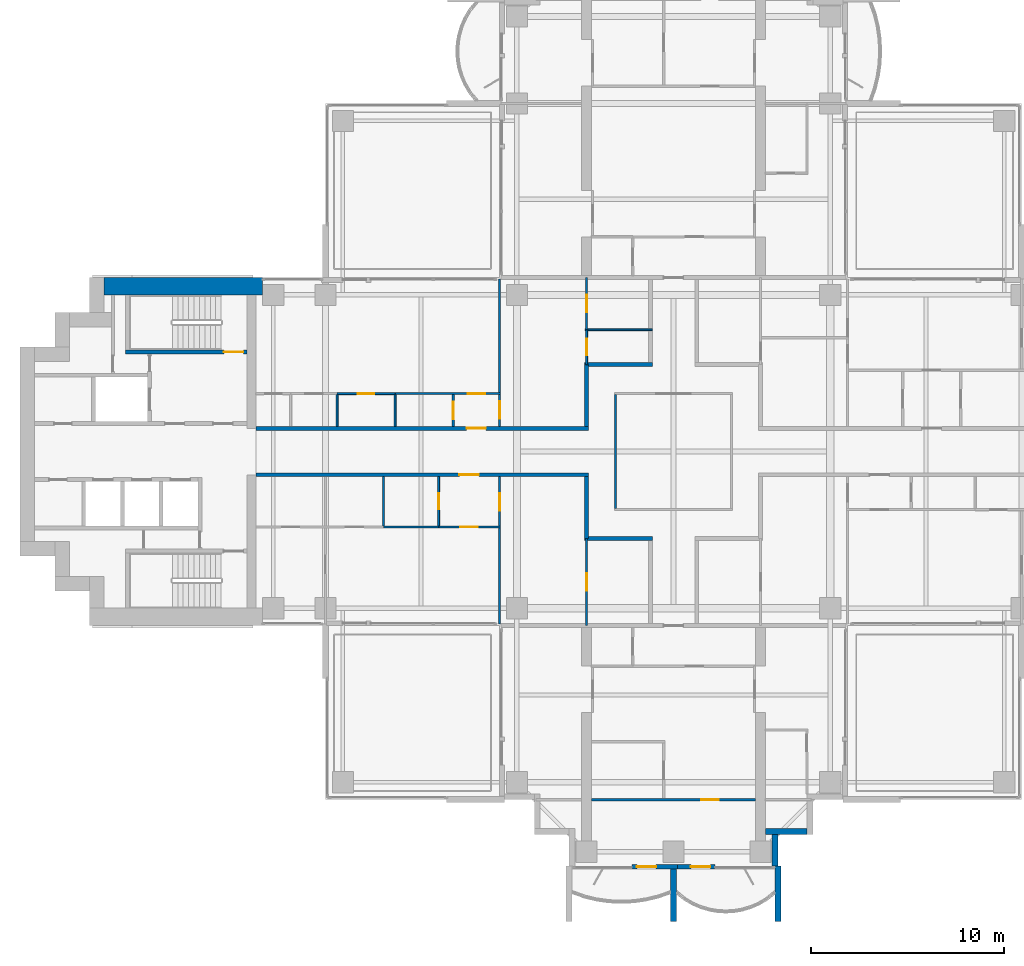
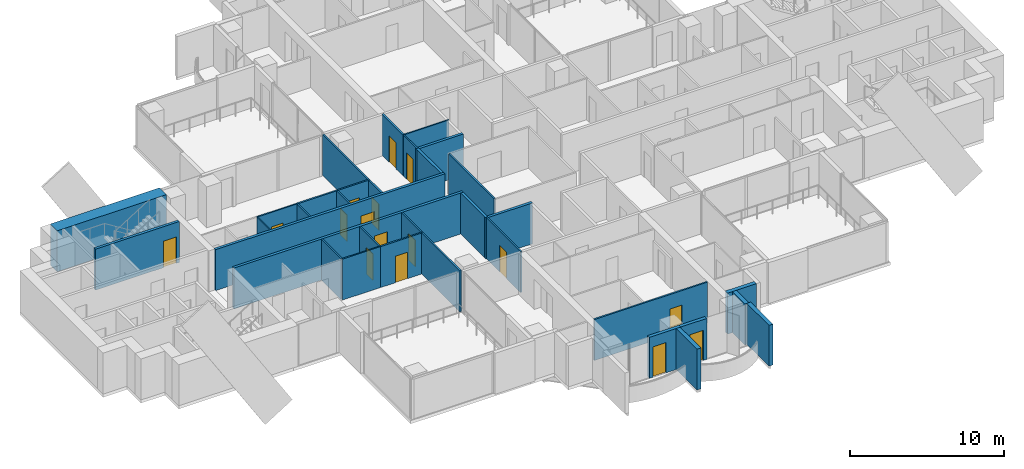
# One storey, part 10 of 19: 31 walls, 16 doors, 16 openings.
"""IFC4 building model written with IfcOpenShell, lengths in metres."""

from ifc_helpers import new_model, si_unit, direction, frame, frame_2d, origin, place, context, subcontext, project, spatial, rectangle, extrude, material, layer, layer_set, type_object, element, fill, save


model = new_model("IFC4")

# Units and contexts
model_context = context("Model", 3, precision=1e-05, world=origin(), true_north=direction((0.0, 1.0)))
body_context = subcontext(model_context, "Body", "Model", "MODEL_VIEW")
ifc_project = project(units=[si_unit("LENGTHUNIT", "METRE"), si_unit("AREAUNIT", "SQUARE_METRE"), si_unit("VOLUMEUNIT", "CUBIC_METRE"), si_unit("PLANEANGLEUNIT", "RADIAN"), si_unit("MASSUNIT", "GRAM", prefix="KILO")], contexts=[model_context])

# Site, building, storey
site_placement = place(None, origin())
site = spatial("IfcSite", under=ifc_project, at=site_placement, CompositionType="ELEMENT")
building_placement = place(site_placement, origin())
building = spatial("IfcBuilding", under=site, at=building_placement, Name="Perihelion Cross Residences", CompositionType="ELEMENT")
storey_placement = place(building_placement, frame((0.0, 0.0, 126.89990234375)))
storey = spatial("IfcBuildingStorey", under=building, at=storey_placement, Name="L30", CompositionType="ELEMENT", Elevation=126.89990234375)

# Wall, opening, door
ifc_material_1 = material(Name="Plasterboard partition")
ifc_layer_1 = layer(ifc_material_1, 0.199951171875)
ifc_layer_set_1 = layer_set([ifc_layer_1], Name="Apartment separation wall 200")
wall_type_1 = type_object("IfcWallType", Name="Apartment separation wall 200", PredefinedType="PARTITIONING", material=ifc_layer_set_1)
wall_1_placement = place(storey_placement, frame((-21.60009765625, 1.199951171875, 0.0), z_axis=(0.0, 0.0, 1.0), x_axis=(1.0, 0.0, 0.0)))
wall_1 = element("IfcWall", 1, at=wall_1_placement, inside=storey, type_object=wall_type_1, Name="Partition L30 W013", PredefinedType="PARTITIONING", context=body_context, shape_type="SweptSolid", body=[
    extrude(rectangle(XDim=17.2001953125, YDim=0.199951171875, at=frame_2d((8.60009765625, 0.0))), origin(), (0.0, 0.0, 1.0), 3.25),
])
opening_1_placement = place(wall_1_placement, frame((10.89990234375, 0.0, 0.0)))
opening_1 = element("IfcOpeningElement", 2, at=opening_1_placement, cuts=wall_1, Name="Opening L30.A47", PredefinedType="OPENING", context=body_context, shape_type="SweptSolid", body=[
    extrude(rectangle(XDim=1.0, YDim=2.10009765625, at=frame_2d((0.5, 1.050048828125))), frame((0.0, 0.10986328125, 0.0), z_axis=(0.0, -1.0, 0.0), x_axis=(1.0, 0.0, 0.0)), (0.0, 0.0, 1.0), 0.219970703125),
])
ifc_material_2 = material(Name="Timber door leaf", Category="wood")
door_type_1 = type_object("IfcDoorType", Name="Flat entrance door 1000 x 2100", OperationType="SINGLE_SWING_LEFT", PredefinedType="DOOR", material=ifc_material_2)
door_1_placement = place(opening_1_placement, origin())
door_1 = element("IfcDoor", 3, at=door_1_placement, inside=storey, type_object=door_type_1, Name="Door L30.A47", OperationType="SINGLE_SWING_LEFT", OverallHeight=2.10009765625, OverallWidth=1.0, PredefinedType="DOOR", context=body_context, shape_type="SweptSolid", body=[
    extrude(rectangle(XDim=1.0, YDim=2.10009765625, at=frame_2d((0.5, 1.050048828125))), frame((0.0, 0.02490234375, 0.0), z_axis=(0.0, -1.0, 0.0), x_axis=(1.0, 0.0, 0.0)), (0.0, 0.0, 1.0), 0.050048828125),
])
fill(opening_1, door_1)

# Walls
wall_2_placement = place(storey_placement, frame((-4.5, 1.300048828125, 0.0), z_axis=(0.0, 0.0, 1.0), x_axis=(0.0, 1.0, 0.0)))
element("IfcWall", 4, at=wall_2_placement, inside=storey, type_object=wall_type_1, Name="Partition L30 W014", PredefinedType="PARTITIONING", context=body_context, shape_type="SweptSolid", body=[
    extrude(rectangle(XDim=3.199951171875, YDim=0.199951171875, at=frame_2d((1.60009765625, 0.0))), origin(), (0.0, 0.0, 1.0), 3.25),
])
wall_3_placement = place(storey_placement, frame((-4.60009765625, 4.5, 0.0), z_axis=(0.0, 0.0, 1.0), x_axis=(1.0, 0.0, 0.0)))
element("IfcWall", 5, at=wall_3_placement, inside=storey, type_object=wall_type_1, Name="Partition L30 W015", PredefinedType="PARTITIONING", context=body_context, shape_type="SweptSolid", body=[
    extrude(rectangle(XDim=3.5, YDim=0.199951171875, at=frame_2d((1.75, 0.0))), origin(), (0.0, 0.0, 1.0), 3.25),
])

# Wall, opening, door
wall_4_placement = place(storey_placement, frame((-4.39990234375, -1.199951171875, 0.0), z_axis=(0.0, 0.0, 1.0), x_axis=(-1.0, 0.0, 0.0)))
wall_4 = element("IfcWall", 6, at=wall_4_placement, inside=storey, type_object=wall_type_1, Name="Partition L30 W017", PredefinedType="PARTITIONING", context=body_context, shape_type="SweptSolid", body=[
    extrude(rectangle(XDim=17.2001953125, YDim=0.199951171875, at=frame_2d((8.60009765625, 0.0))), origin(), (0.0, 0.0, 1.0), 3.25),
])
opening_2_placement = place(wall_4_placement, frame((5.675048828125, 0.0, 0.0)))
opening_2 = element("IfcOpeningElement", 7, at=opening_2_placement, cuts=wall_4, Name="Opening L30.A48", PredefinedType="OPENING", context=body_context, shape_type="SweptSolid", body=[
    extrude(rectangle(XDim=1.0, YDim=2.10009765625, at=frame_2d((0.5, 1.050048828125))), frame((0.0, 0.10986328125, 0.0), z_axis=(0.0, -1.0, 0.0), x_axis=(1.0, 0.0, 0.0)), (0.0, 0.0, 1.0), 0.219970703125),
])
door_2_placement = place(opening_2_placement, origin())
door_2 = element("IfcDoor", 8, at=door_2_placement, inside=storey, type_object=door_type_1, Name="Door L30.A48", OperationType="SINGLE_SWING_LEFT", OverallHeight=2.10009765625, OverallWidth=1.0, PredefinedType="DOOR", context=body_context, shape_type="SweptSolid", body=[
    extrude(rectangle(XDim=1.0, YDim=2.10009765625, at=frame_2d((0.5, 1.050048828125))), frame((0.0, 0.02490234375, 0.0), z_axis=(0.0, -1.0, 0.0), x_axis=(1.0, 0.0, 0.0)), (0.0, 0.0, 1.0), 0.050048828125),
])
fill(opening_2, door_2)

# Walls
wall_5_placement = place(storey_placement, frame((-4.5, -4.5, 0.0), z_axis=(0.0, 0.0, 1.0), x_axis=(0.0, 1.0, 0.0)))
element("IfcWall", 9, at=wall_5_placement, inside=storey, type_object=wall_type_1, Name="Partition L30 W018", PredefinedType="PARTITIONING", context=body_context, shape_type="SweptSolid", body=[
    extrude(rectangle(XDim=3.199951171875, YDim=0.199951171875, at=frame_2d((1.60009765625, 0.0))), origin(), (0.0, 0.0, 1.0), 3.25),
])
wall_6_placement = place(storey_placement, frame((-1.10009765625, -4.5, 0.0), z_axis=(0.0, 0.0, 1.0), x_axis=(-1.0, 0.0, 0.0)))
element("IfcWall", 10, at=wall_6_placement, inside=storey, type_object=wall_type_1, Name="Partition L30 W020", PredefinedType="PARTITIONING", context=body_context, shape_type="SweptSolid", body=[
    extrude(rectangle(XDim=3.5, YDim=0.199951171875, at=frame_2d((1.75, 0.0))), origin(), (0.0, 0.0, 1.0), 3.25),
])

# Wall, opening, door
ifc_material_3 = material(Name="Concrete C30/37, bronze-clad", Category="concrete")
ifc_layer_2 = layer(ifc_material_3, 0.25)
ifc_layer_set_2 = layer_set([ifc_layer_2], Name="Bronze-clad pier wall 250")
wall_type_2 = type_object("IfcWallType", Name="Bronze-clad pier wall 250", PredefinedType="SOLIDWALL", material=ifc_layer_set_2)
wall_7_placement = place(storey_placement, frame((-2.14990234375, -21.47509765625, 0.0), z_axis=(0.0, 0.0, 1.0), x_axis=(1.0, 0.0, 0.0)))
wall_7 = element("IfcWall", 11, at=wall_7_placement, inside=storey, type_object=wall_type_2, Name="Wall FW1 L30 south tip south bay 1 pier", PredefinedType="SOLIDWALL", context=body_context, shape_type="SweptSolid", body=[
    extrude(rectangle(XDim=2.349853515625, YDim=0.25, at=frame_2d((1.1748046875, 0.0))), origin(), (0.0, 0.0, 1.0), 3.25),
])
opening_3_placement = place(wall_7_placement, frame((0.25, 0.0, 0.0)))
opening_3 = element("IfcOpeningElement", 12, at=opening_3_placement, cuts=wall_7, Name="Opening L30.E11", PredefinedType="OPENING", context=body_context, shape_type="SweptSolid", body=[
    extrude(rectangle(XDim=1.0, YDim=2.39990234375, at=frame_2d((0.5, 1.199951171875))), frame((0.0, 0.135009765625, 0.0), z_axis=(0.0, -1.0, 0.0), x_axis=(1.0, 0.0, 0.0)), (0.0, 0.0, 1.0), 0.27001953125),
])
ifc_material_4 = material(Name="Bronze anodised aluminium, glazed", Category="aluminium")
door_type_2 = type_object("IfcDoorType", Name="Balcony door 1000 x 2400", OperationType="NOTDEFINED", PredefinedType="DOOR", material=ifc_material_4)
door_3_placement = place(opening_3_placement, origin())
door_3 = element("IfcDoor", 13, at=door_3_placement, inside=storey, type_object=door_type_2, Name="Door L30.E11 south tip south bay 1", OperationType="SINGLE_SWING_RIGHT", OverallHeight=2.39990234375, OverallWidth=1.0, PredefinedType="DOOR", context=body_context, shape_type="SweptSolid", body=[
    extrude(rectangle(XDim=1.0, YDim=2.39990234375, at=frame_2d((0.5, 1.199951171875))), frame((0.0, 0.02490234375, 0.0), z_axis=(0.0, -1.0, 0.0), x_axis=(1.0, 0.0, 0.0)), (0.0, 0.0, 1.0), 0.050048828125),
])
fill(opening_3, door_3)

wall_8_placement = place(storey_placement, frame((0.199951171875, -21.47509765625, 0.0), z_axis=(0.0, 0.0, 1.0), x_axis=(1.0, 0.0, 0.0)))
wall_8 = element("IfcWall", 14, at=wall_8_placement, inside=storey, type_object=wall_type_2, Name="Wall FW1 L30 south tip south bay 2 pier", PredefinedType="SOLIDWALL", context=body_context, shape_type="SweptSolid", body=[
    extrude(rectangle(XDim=1.949951171875, YDim=0.25, at=frame_2d((0.97509765625, 0.0))), origin(), (0.0, 0.0, 1.0), 3.25),
])
opening_4_placement = place(wall_8_placement, frame((0.699951171875, 0.0, 0.0)))
opening_4 = element("IfcOpeningElement", 15, at=opening_4_placement, cuts=wall_8, Name="Opening L30.E12", PredefinedType="OPENING", context=body_context, shape_type="SweptSolid", body=[
    extrude(rectangle(XDim=1.0, YDim=2.39990234375, at=frame_2d((0.5, 1.199951171875))), frame((0.0, 0.135009765625, 0.0), z_axis=(0.0, -1.0, 0.0), x_axis=(1.0, 0.0, 0.0)), (0.0, 0.0, 1.0), 0.27001953125),
])
door_4_placement = place(opening_4_placement, origin())
door_4 = element("IfcDoor", 16, at=door_4_placement, inside=storey, type_object=door_type_2, Name="Door L30.E12 south tip south bay 2", OperationType="SINGLE_SWING_LEFT", OverallHeight=2.39990234375, OverallWidth=1.0, PredefinedType="DOOR", context=body_context, shape_type="SweptSolid", body=[
    extrude(rectangle(XDim=1.0, YDim=2.39990234375, at=frame_2d((0.5, 1.199951171875))), frame((0.0, 0.02490234375, 0.0), z_axis=(0.0, -1.0, 0.0), x_axis=(1.0, 0.0, 0.0)), (0.0, 0.0, 1.0), 0.050048828125),
])
fill(opening_4, door_4)

# Walls
ifc_material_5 = material(Name="Concrete C30/37, bronze-clad", Category="concrete")
ifc_layer_3 = layer(ifc_material_5, 0.300048828125)
ifc_layer_set_3 = layer_set([ifc_layer_3], Name="Bronze-clad serration wall 300")
wall_type_3 = type_object("IfcWallType", Name="Bronze-clad serration wall 300", PredefinedType="SOLIDWALL", material=ifc_layer_set_3)
wall_9_placement = place(storey_placement, frame((5.25, -21.419921875, 0.0), z_axis=(0.0, 0.0, 1.0), x_axis=(0.0, 1.0, 0.0)))
element("IfcWall", 17, at=wall_9_placement, inside=storey, type_object=wall_type_3, Name="Wall SR1 L30 south corner south-east 1", PredefinedType="SOLIDWALL", context=body_context, shape_type="SweptSolid", body=[
    extrude(rectangle(XDim=1.619873046875, YDim=0.300048828125, at=frame_2d((0.81005859375, 0.0))), origin(), (0.0, 0.0, 1.0), 3.25),
])
wall_10_placement = place(storey_placement, frame((4.75, -19.64990234375, 0.0), z_axis=(0.0, 0.0, 1.0), x_axis=(1.0, 0.0, 0.0)))
element("IfcWall", 18, at=wall_10_placement, inside=storey, type_object=wall_type_3, Name="Wall SR1 L30 south corner south-east 2", PredefinedType="SOLIDWALL", context=body_context, shape_type="SweptSolid", body=[
    extrude(rectangle(XDim=2.14990234375, YDim=0.300048828125, at=frame_2d((1.074951171875, 0.0))), origin(), (0.0, 0.0, 1.0), 3.25),
])
ifc_material_6 = material(Name="Concrete C60/75", Category="concrete")
ifc_layer_4 = layer(ifc_material_6, 0.89990234375)
ifc_layer_set_4 = layer_set([ifc_layer_4], Name="Core wall, outer 900")
wall_type_4 = type_object("IfcWallType", Name="Core wall, outer 900", PredefinedType="SHEAR", material=ifc_layer_set_4)
wall_11_placement = place(storey_placement, frame((-29.449951171875, 8.550048828125, 0.0), z_axis=(0.0, 0.0, 1.0), x_axis=(1.0, 0.0, 0.0)))
element("IfcWall", 19, at=wall_11_placement, inside=storey, type_object=wall_type_4, Name="West core core wall, outer", PredefinedType="SHEAR", context=body_context, shape_type="SweptSolid", body=[
    extrude(rectangle(XDim=8.199951171875, YDim=0.89990234375, at=frame_2d((4.10009765625, 0.0))), origin(), (0.0, 0.0, 1.0), 3.25),
])
ifc_material_7 = material(Name="Plasterboard partition")
ifc_layer_5 = layer(ifc_material_7, 0.1201171875)
ifc_layer_set_5 = layer_set([ifc_layer_5], Name="Partition wall 120")
wall_type_5 = type_object("IfcWallType", Name="Partition wall 120", PredefinedType="PARTITIONING", material=ifc_layer_set_5)
wall_12_placement = place(storey_placement, frame((-3.0, 2.93994140625, 0.0), z_axis=(0.0, 0.0, 1.0), x_axis=(0.0, -1.0, 0.0)))
element("IfcWall", 20, at=wall_12_placement, inside=storey, type_object=wall_type_5, Name="Partition L30 W004", PredefinedType="PARTITIONING", context=body_context, shape_type="SweptSolid", body=[
    extrude(rectangle(XDim=5.8798828125, YDim=0.1201171875, at=frame_2d((2.93994140625, 0.0))), origin(), (0.0, 0.0, 1.0), 3.25),
])

# Wall, opening, door
wall_13_placement = place(storey_placement, frame((-11.39990234375, 1.300048828125, 0.0), z_axis=(0.0, 0.0, 1.0), x_axis=(0.0, 1.0, 0.0)))
wall_13 = element("IfcWall", 21, at=wall_13_placement, inside=storey, type_object=wall_type_5, Name="Partition L30 W041", PredefinedType="PARTITIONING", context=body_context, shape_type="SweptSolid", body=[
    extrude(rectangle(XDim=1.639892578125, YDim=0.1201171875, at=frame_2d((0.81982421875, 0.0))), origin(), (0.0, 0.0, 1.0), 3.25),
])
opening_5_placement = place(wall_13_placement, frame((0.3701171875, 0.0, 0.0)))
opening_5 = element("IfcOpeningElement", 22, at=opening_5_placement, cuts=wall_13, Name="Opening L30.A18", PredefinedType="OPENING", context=body_context, shape_type="SweptSolid", body=[
    extrude(rectangle(XDim=0.89990234375, YDim=2.10009765625, at=frame_2d((0.449951171875, 1.050048828125))), frame((0.0, 0.070068359375, 0.0), z_axis=(0.0, -1.0, 0.0), x_axis=(1.0, 0.0, 0.0)), (0.0, 0.0, 1.0), 0.14013671875),
])
ifc_material_8 = material(Name="Timber door leaf", Category="wood")
door_type_3 = type_object("IfcDoorType", Name="Interior room door 900 x 2100", OperationType="SINGLE_SWING_LEFT", PredefinedType="DOOR", material=ifc_material_8)
door_5_placement = place(opening_5_placement, origin())
door_5 = element("IfcDoor", 23, at=door_5_placement, inside=storey, type_object=door_type_3, Name="Door L30.A18", OperationType="SINGLE_SWING_RIGHT", OverallHeight=2.10009765625, OverallWidth=0.89990234375, PredefinedType="DOOR", context=body_context, shape_type="SweptSolid", body=[
    extrude(rectangle(XDim=0.89990234375, YDim=2.10009765625, at=frame_2d((0.449951171875, 1.050048828125))), frame((0.0, 0.02490234375, 0.0), z_axis=(0.0, -1.0, 0.0), x_axis=(1.0, 0.0, 0.0)), (0.0, 0.0, 1.0), 0.050048828125),
])
fill(opening_5, door_5)

wall_14_placement = place(storey_placement, frame((-14.39990234375, 3.0, 0.0), z_axis=(0.0, 0.0, 1.0), x_axis=(1.0, 0.0, 0.0)))
wall_14 = element("IfcWall", 24, at=wall_14_placement, inside=storey, type_object=wall_type_5, Name="Partition L30 W042", PredefinedType="PARTITIONING", context=body_context, shape_type="SweptSolid", body=[
    extrude(rectangle(XDim=5.4599609375, YDim=0.1201171875, at=frame_2d((2.72998046875, 0.0))), origin(), (0.0, 0.0, 1.0), 3.25),
])
opening_6_placement = place(wall_14_placement, frame((3.75, 0.0, 0.0)))
opening_6 = element("IfcOpeningElement", 25, at=opening_6_placement, cuts=wall_14, Name="Opening L30.A23", PredefinedType="OPENING", context=body_context, shape_type="SweptSolid", body=[
    extrude(rectangle(XDim=0.89990234375, YDim=2.10009765625, at=frame_2d((0.449951171875, 1.050048828125))), frame((0.0, 0.070068359375, 0.0), z_axis=(0.0, -1.0, 0.0), x_axis=(1.0, 0.0, 0.0)), (0.0, 0.0, 1.0), 0.14013671875),
])
door_6_placement = place(opening_6_placement, origin())
door_6 = element("IfcDoor", 26, at=door_6_placement, inside=storey, type_object=door_type_3, Name="Door L30.A23", OperationType="SINGLE_SWING_LEFT", OverallHeight=2.10009765625, OverallWidth=0.89990234375, PredefinedType="DOOR", context=body_context, shape_type="SweptSolid", body=[
    extrude(rectangle(XDim=0.89990234375, YDim=2.10009765625, at=frame_2d((0.449951171875, 1.050048828125))), frame((0.0, 0.02490234375, 0.0), z_axis=(0.0, -1.0, 0.0), x_axis=(1.0, 0.0, 0.0)), (0.0, 0.0, 1.0), 0.050048828125),
])
fill(opening_6, door_6)

wall_15_placement = place(storey_placement, frame((-9.0, 8.919921875, 0.0), z_axis=(0.0, 0.0, 1.0), x_axis=(0.0, -1.0, 0.0)))
wall_15 = element("IfcWall", 27, at=wall_15_placement, inside=storey, type_object=wall_type_5, Name="Partition L30 W043", PredefinedType="PARTITIONING", context=body_context, shape_type="SweptSolid", body=[
    extrude(rectangle(XDim=7.619873046875, YDim=0.1201171875, at=frame_2d((3.81005859375, 0.0))), origin(), (0.0, 0.0, 1.0), 3.25),
])
opening_7_placement = place(wall_15_placement, frame((6.320068359375, 0.0, 0.0)))
opening_7 = element("IfcOpeningElement", 28, at=opening_7_placement, cuts=wall_15, Name="Opening L30.A19", PredefinedType="OPENING", context=body_context, shape_type="SweptSolid", body=[
    extrude(rectangle(XDim=0.89990234375, YDim=2.10009765625, at=frame_2d((0.449951171875, 1.050048828125))), frame((0.0, 0.070068359375, 0.0), z_axis=(0.0, -1.0, 0.0), x_axis=(1.0, 0.0, 0.0)), (0.0, 0.0, 1.0), 0.14013671875),
])
door_7_placement = place(opening_7_placement, origin())
door_7 = element("IfcDoor", 29, at=door_7_placement, inside=storey, type_object=door_type_3, Name="Door L30.A19", OperationType="SINGLE_SWING_LEFT", OverallHeight=2.10009765625, OverallWidth=0.89990234375, PredefinedType="DOOR", context=body_context, shape_type="SweptSolid", body=[
    extrude(rectangle(XDim=0.89990234375, YDim=2.10009765625, at=frame_2d((0.449951171875, 1.050048828125))), frame((0.0, 0.02490234375, 0.0), z_axis=(0.0, -1.0, 0.0), x_axis=(1.0, 0.0, 0.0)), (0.0, 0.0, 1.0), 0.050048828125),
])
fill(opening_7, door_7)

wall_16_placement = place(storey_placement, frame((-4.5, 9.0, 0.0), z_axis=(0.0, 0.0, 1.0), x_axis=(0.0, -1.0, 0.0)))
wall_16 = element("IfcWall", 30, at=wall_16_placement, inside=storey, type_object=wall_type_5, Name="Partition L30 W051", PredefinedType="PARTITIONING", context=body_context, shape_type="SweptSolid", body=[
    extrude(rectangle(XDim=2.699951171875, YDim=0.1201171875, at=frame_2d((1.35009765625, 0.0))), origin(), (0.0, 0.0, 1.0), 3.25),
])
opening_8_placement = place(wall_16_placement, frame((0.89990234375, 0.0, 0.0)))
opening_8 = element("IfcOpeningElement", 31, at=opening_8_placement, cuts=wall_16, Name="Opening L30.A20", PredefinedType="OPENING", context=body_context, shape_type="SweptSolid", body=[
    extrude(rectangle(XDim=0.89990234375, YDim=2.10009765625, at=frame_2d((0.449951171875, 1.050048828125))), frame((0.0, 0.070068359375, 0.0), z_axis=(0.0, -1.0, 0.0), x_axis=(1.0, 0.0, 0.0)), (0.0, 0.0, 1.0), 0.14013671875),
])
door_8_placement = place(opening_8_placement, origin())
door_8 = element("IfcDoor", 32, at=door_8_placement, inside=storey, type_object=door_type_3, Name="Door L30.A20", OperationType="SINGLE_SWING_LEFT", OverallHeight=2.10009765625, OverallWidth=0.89990234375, PredefinedType="DOOR", context=body_context, shape_type="SweptSolid", body=[
    extrude(rectangle(XDim=0.89990234375, YDim=2.10009765625, at=frame_2d((0.449951171875, 1.050048828125))), frame((0.0, 0.02490234375, 0.0), z_axis=(0.0, -1.0, 0.0), x_axis=(1.0, 0.0, 0.0)), (0.0, 0.0, 1.0), 0.050048828125),
])
fill(opening_8, door_8)

wall_17_placement = place(storey_placement, frame((-8.93994140625, -3.89990234375, 0.0), z_axis=(0.0, 0.0, 1.0), x_axis=(-1.0, 0.0, 0.0)))
wall_17 = element("IfcWall", 33, at=wall_17_placement, inside=storey, type_object=wall_type_5, Name="Partition L30 W054", PredefinedType="PARTITIONING", context=body_context, shape_type="SweptSolid", body=[
    extrude(rectangle(XDim=3.2099609375, YDim=0.1201171875, at=frame_2d((1.60498046875, 0.0))), origin(), (0.0, 0.0, 1.0), 3.25),
])
opening_9_placement = place(wall_17_placement, frame((1.18505859375, 0.0, 0.0)))
opening_9 = element("IfcOpeningElement", 34, at=opening_9_placement, cuts=wall_17, Name="Opening L30.A31", PredefinedType="OPENING", context=body_context, shape_type="SweptSolid", body=[
    extrude(rectangle(XDim=0.89990234375, YDim=2.10009765625, at=frame_2d((0.449951171875, 1.050048828125))), frame((0.0, 0.070068359375, 0.0), z_axis=(0.0, -1.0, 0.0), x_axis=(1.0, 0.0, 0.0)), (0.0, 0.0, 1.0), 0.14013671875),
])
door_9_placement = place(opening_9_placement, origin())
door_9 = element("IfcDoor", 35, at=door_9_placement, inside=storey, type_object=door_type_3, Name="Door L30.A31", OperationType="SINGLE_SWING_RIGHT", OverallHeight=2.10009765625, OverallWidth=0.89990234375, PredefinedType="DOOR", context=body_context, shape_type="SweptSolid", body=[
    extrude(rectangle(XDim=0.89990234375, YDim=2.10009765625, at=frame_2d((0.449951171875, 1.050048828125))), frame((0.0, 0.02490234375, 0.0), z_axis=(0.0, -1.0, 0.0), x_axis=(1.0, 0.0, 0.0)), (0.0, 0.0, 1.0), 0.050048828125),
])
fill(opening_9, door_9)

wall_18_placement = place(storey_placement, frame((-9.0, -1.300048828125, 0.0), z_axis=(0.0, 0.0, 1.0), x_axis=(0.0, -1.0, 0.0)))
wall_18 = element("IfcWall", 36, at=wall_18_placement, inside=storey, type_object=wall_type_5, Name="Partition L30 W055", PredefinedType="PARTITIONING", context=body_context, shape_type="SweptSolid", body=[
    extrude(rectangle(XDim=7.619873046875, YDim=0.1201171875, at=frame_2d((3.81005859375, 0.0))), origin(), (0.0, 0.0, 1.0), 3.25),
])
opening_10_placement = place(wall_18_placement, frame((0.85009765625, 0.0, 0.0)))
opening_10 = element("IfcOpeningElement", 37, at=opening_10_placement, cuts=wall_18, Name="Opening L30.A27", PredefinedType="OPENING", context=body_context, shape_type="SweptSolid", body=[
    extrude(rectangle(XDim=0.89990234375, YDim=2.10009765625, at=frame_2d((0.449951171875, 1.050048828125))), frame((0.0, 0.070068359375, 0.0), z_axis=(0.0, -1.0, 0.0), x_axis=(1.0, 0.0, 0.0)), (0.0, 0.0, 1.0), 0.14013671875),
])
door_10_placement = place(opening_10_placement, origin())
door_10 = element("IfcDoor", 38, at=door_10_placement, inside=storey, type_object=door_type_3, Name="Door L30.A27", OperationType="SINGLE_SWING_LEFT", OverallHeight=2.10009765625, OverallWidth=0.89990234375, PredefinedType="DOOR", context=body_context, shape_type="SweptSolid", body=[
    extrude(rectangle(XDim=0.89990234375, YDim=2.10009765625, at=frame_2d((0.449951171875, 1.050048828125))), frame((0.0, 0.02490234375, 0.0), z_axis=(0.0, -1.0, 0.0), x_axis=(1.0, 0.0, 0.0)), (0.0, 0.0, 1.0), 0.050048828125),
])
fill(opening_10, door_10)

wall_19_placement = place(storey_placement, frame((-4.5, -4.5, 0.0), z_axis=(0.0, 0.0, 1.0), x_axis=(0.0, -1.0, 0.0)))
wall_19 = element("IfcWall", 39, at=wall_19_placement, inside=storey, type_object=wall_type_5, Name="Partition L30 W060", PredefinedType="PARTITIONING", context=body_context, shape_type="SweptSolid", body=[
    extrude(rectangle(XDim=4.5, YDim=0.1201171875, at=frame_2d((2.25, 0.0))), origin(), (0.0, 0.0, 1.0), 3.25),
])
opening_11_placement = place(wall_19_placement, frame((1.800048828125, 0.0, 0.0)))
opening_11 = element("IfcOpeningElement", 40, at=opening_11_placement, cuts=wall_19, Name="Opening L30.A28", PredefinedType="OPENING", context=body_context, shape_type="SweptSolid", body=[
    extrude(rectangle(XDim=0.89990234375, YDim=2.10009765625, at=frame_2d((0.449951171875, 1.050048828125))), frame((0.0, 0.070068359375, 0.0), z_axis=(0.0, -1.0, 0.0), x_axis=(1.0, 0.0, 0.0)), (0.0, 0.0, 1.0), 0.14013671875),
])
door_11_placement = place(opening_11_placement, origin())
door_11 = element("IfcDoor", 41, at=door_11_placement, inside=storey, type_object=door_type_3, Name="Door L30.A28", OperationType="SINGLE_SWING_RIGHT", OverallHeight=2.10009765625, OverallWidth=0.89990234375, PredefinedType="DOOR", context=body_context, shape_type="SweptSolid", body=[
    extrude(rectangle(XDim=0.89990234375, YDim=2.10009765625, at=frame_2d((0.449951171875, 1.050048828125))), frame((0.0, 0.02490234375, 0.0), z_axis=(0.0, -1.0, 0.0), x_axis=(1.0, 0.0, 0.0)), (0.0, 0.0, 1.0), 0.050048828125),
])
fill(opening_11, door_11)

wall_20_placement = place(storey_placement, frame((4.25, -18.0, 0.0), z_axis=(0.0, 0.0, 1.0), x_axis=(-1.0, 0.0, 0.0)))
wall_20 = element("IfcWall", 42, at=wall_20_placement, inside=storey, type_object=wall_type_5, Name="Partition L30 W079", PredefinedType="PARTITIONING", context=body_context, shape_type="SweptSolid", body=[
    extrude(rectangle(XDim=8.5, YDim=0.1201171875, at=frame_2d((4.25, 0.0))), origin(), (0.0, 0.0, 1.0), 3.25),
])
opening_12_placement = place(wall_20_placement, frame((1.925048828125, 0.0, 0.0)))
opening_12 = element("IfcOpeningElement", 43, at=opening_12_placement, cuts=wall_20, Name="Opening L30.A43", PredefinedType="OPENING", context=body_context, shape_type="SweptSolid", body=[
    extrude(rectangle(XDim=0.89990234375, YDim=2.10009765625, at=frame_2d((0.449951171875, 1.050048828125))), frame((0.0, 0.070068359375, 0.0), z_axis=(0.0, -1.0, 0.0), x_axis=(1.0, 0.0, 0.0)), (0.0, 0.0, 1.0), 0.14013671875),
])
door_12_placement = place(opening_12_placement, origin())
door_12 = element("IfcDoor", 44, at=door_12_placement, inside=storey, type_object=door_type_3, Name="Door L30.A43", OperationType="SINGLE_SWING_RIGHT", OverallHeight=2.10009765625, OverallWidth=0.89990234375, PredefinedType="DOOR", context=body_context, shape_type="SweptSolid", body=[
    extrude(rectangle(XDim=0.89990234375, YDim=2.10009765625, at=frame_2d((0.449951171875, 1.050048828125))), frame((0.0, 0.02490234375, 0.0), z_axis=(0.0, -1.0, 0.0), x_axis=(1.0, 0.0, 0.0)), (0.0, 0.0, 1.0), 0.050048828125),
])
fill(opening_12, door_12)

# Walls
ifc_material_9 = material(Name="Precast concrete C50/60", Category="concrete")
ifc_layer_6 = layer(ifc_material_9, 0.300048828125)
ifc_layer_set_6 = layer_set([ifc_layer_6], Name="Precast concrete C50/60 blade wall 300")
wall_type_6 = type_object("IfcWallType", Name="Precast concrete C50/60 blade wall 300", PredefinedType="SOLIDWALL", material=ifc_layer_set_6)
wall_21_placement = place(storey_placement, frame((0.0, -21.60009765625, 0.0), z_axis=(0.0, 0.0, 1.0), x_axis=(0.0, -1.0, 0.0)))
element("IfcWall", 45, at=wall_21_placement, inside=storey, type_object=wall_type_6, Name="Wall BL1 L30 no. 8", PredefinedType="SOLIDWALL", context=body_context, shape_type="SweptSolid", body=[
    extrude(rectangle(XDim=2.699951171875, YDim=0.300048828125, at=frame_2d((1.35009765625, 0.0))), origin(), (0.0, 0.0, 1.0), 3.25),
])
wall_22_placement = place(storey_placement, frame((5.39990234375, -21.419921875, 0.0), z_axis=(0.0, 0.0, 1.0), x_axis=(0.0, -1.0, 0.0)))
element("IfcWall", 46, at=wall_22_placement, inside=storey, type_object=wall_type_6, Name="Wall BL1 L30 no. 12", PredefinedType="SOLIDWALL", context=body_context, shape_type="SweptSolid", body=[
    extrude(rectangle(XDim=2.880126953125, YDim=0.300048828125, at=frame_2d((1.43994140625, 0.0))), origin(), (0.0, 0.0, 1.0), 3.25),
])

# Wall, opening, door
ifc_material_10 = material(Name="Concrete C50/60", Category="concrete")
ifc_layer_7 = layer(ifc_material_10, 0.199951171875)
ifc_layer_set_7 = layer_set([ifc_layer_7], Name="Stair wall 200")
wall_type_7 = type_object("IfcWallType", Name="Stair wall 200", PredefinedType="SOLIDWALL", material=ifc_layer_set_7)
wall_23_placement = place(storey_placement, frame((-28.35009765625, 5.14990234375, 0.0), z_axis=(0.0, 0.0, 1.0), x_axis=(1.0, 0.0, 0.0)))
wall_23 = element("IfcWall", 47, at=wall_23_placement, inside=storey, type_object=wall_type_7, Name="West core stair wall", PredefinedType="SOLIDWALL", context=body_context, shape_type="SweptSolid", body=[
    extrude(rectangle(XDim=6.300048828125, YDim=0.199951171875, at=frame_2d((3.14990234375, 0.0))), origin(), (0.0, 0.0, 1.0), 3.25),
])
opening_13_placement = place(wall_23_placement, frame((5.10009765625, 0.0, 0.0)))
opening_13 = element("IfcOpeningElement", 48, at=opening_13_placement, cuts=wall_23, Name="Opening L30.C20", PredefinedType="OPENING", context=body_context, shape_type="SweptSolid", body=[
    extrude(rectangle(XDim=1.0, YDim=2.10009765625, at=frame_2d((0.5, 1.050048828125))), frame((0.0, 0.10986328125, 0.0), z_axis=(0.0, -1.0, 0.0), x_axis=(1.0, 0.0, 0.0)), (0.0, 0.0, 1.0), 0.219970703125),
])
ifc_material_11 = material(Name="Steel, powder coated", Category="steel")
door_type_4 = type_object("IfcDoorType", Name="Stair door 1000", OperationType="SINGLE_SWING_LEFT", PredefinedType="DOOR", material=ifc_material_11)
door_13_placement = place(opening_13_placement, origin())
door_13 = element("IfcDoor", 49, at=door_13_placement, inside=storey, type_object=door_type_4, Name="West core stair door", OperationType="SINGLE_SWING_LEFT", OverallHeight=2.10009765625, OverallWidth=1.0, PredefinedType="DOOR", context=body_context, shape_type="SweptSolid", body=[
    extrude(rectangle(XDim=1.0, YDim=2.10009765625, at=frame_2d((0.5, 1.050048828125))), frame((0.0, 0.02490234375, 0.0), z_axis=(0.0, -1.0, 0.0), x_axis=(1.0, 0.0, 0.0)), (0.0, 0.0, 1.0), 0.050048828125),
])
fill(opening_13, door_13)

# Walls
ifc_material_12 = material(Name="Plasterboard partition")
ifc_layer_8 = layer(ifc_material_12, 0.10009765625)
ifc_layer_set_8 = layer_set([ifc_layer_8], Name="Wet room wall 100")
wall_type_8 = type_object("IfcWallType", Name="Wet room wall 100", PredefinedType="PARTITIONING", material=ifc_layer_set_8)
for number, where, z_axis, x_axis, name in (
    (50, (-14.39990234375, 1.300048828125, 0.0), (0.0, 0.0, 1.0), (0.0, 1.0, 0.0), "Partition L30 W044"),
    (51, (-17.39990234375, 1.300048828125, 0.0), (0.0, 0.0, 1.0), (0.0, 1.0, 0.0), "Partition L30 W045"),
):
    element("IfcWall", number, at=place(storey_placement, frame(where, z_axis=z_axis, x_axis=x_axis)), inside=storey, type_object=wall_type_8, Name=name, PredefinedType="PARTITIONING", context=body_context, shape_type="SweptSolid", body=[
        extrude(rectangle(XDim=1.639892578125, YDim=0.10009765625, at=frame_2d((0.81982421875, 0.0))), origin(), (0.0, 0.0, 1.0), 3.25),
    ])

# Wall, opening, door
wall_24_placement = place(storey_placement, frame((-17.39990234375, 3.0, 0.0), z_axis=(0.0, 0.0, 1.0), x_axis=(1.0, 0.0, 0.0)))
wall_24 = element("IfcWall", 52, at=wall_24_placement, inside=storey, type_object=wall_type_8, Name="Partition L30 W046", PredefinedType="PARTITIONING", context=body_context, shape_type="SweptSolid", body=[
    extrude(rectangle(XDim=3.0, YDim=0.10009765625, at=frame_2d((1.5, 0.0))), origin(), (0.0, 0.0, 1.0), 3.25),
])
opening_14_placement = place(wall_24_placement, frame((1.074951171875, 0.0, 0.0)))
opening_14 = element("IfcOpeningElement", 53, at=opening_14_placement, cuts=wall_24, Name="Opening L30.A17", PredefinedType="OPENING", context=body_context, shape_type="SweptSolid", body=[
    extrude(rectangle(XDim=0.85009765625, YDim=2.10009765625, at=frame_2d((0.425048828125, 1.050048828125))), frame((0.0, 0.06005859375, 0.0), z_axis=(0.0, -1.0, 0.0), x_axis=(1.0, 0.0, 0.0)), (0.0, 0.0, 1.0), 0.1201171875),
])
ifc_material_13 = material(Name="Timber door leaf", Category="wood")
door_type_5 = type_object("IfcDoorType", Name="Interior bathroom door 850 x 2100", OperationType="SINGLE_SWING_LEFT", PredefinedType="DOOR", material=ifc_material_13)
door_14_placement = place(opening_14_placement, origin())
door_14 = element("IfcDoor", 54, at=door_14_placement, inside=storey, type_object=door_type_5, Name="Door L30.A17", OperationType="SINGLE_SWING_LEFT", OverallHeight=2.10009765625, OverallWidth=0.85009765625, PredefinedType="DOOR", context=body_context, shape_type="SweptSolid", body=[
    extrude(rectangle(XDim=0.85009765625, YDim=2.10009765625, at=frame_2d((0.425048828125, 1.050048828125))), frame((0.0, 0.02490234375, 0.0), z_axis=(0.0, -1.0, 0.0), x_axis=(1.0, 0.0, 0.0)), (0.0, 0.0, 1.0), 0.050048828125),
])
fill(opening_14, door_14)

wall_25_placement = place(storey_placement, frame((-4.5, 6.300048828125, 0.0), z_axis=(0.0, 0.0, 1.0), x_axis=(0.0, -1.0, 0.0)))
wall_25 = element("IfcWall", 55, at=wall_25_placement, inside=storey, type_object=wall_type_8, Name="Partition L30 W050", PredefinedType="PARTITIONING", context=body_context, shape_type="SweptSolid", body=[
    extrude(rectangle(XDim=1.800048828125, YDim=0.10009765625, at=frame_2d((0.89990234375, 0.0))), origin(), (0.0, 0.0, 1.0), 3.25),
])
opening_15_placement = place(wall_25_placement, frame((0.47509765625, 0.0, 0.0)))
opening_15 = element("IfcOpeningElement", 56, at=opening_15_placement, cuts=wall_25, Name="Opening L30.A21", PredefinedType="OPENING", context=body_context, shape_type="SweptSolid", body=[
    extrude(rectangle(XDim=0.85009765625, YDim=2.10009765625, at=frame_2d((0.425048828125, 1.050048828125))), frame((0.0, 0.06005859375, 0.0), z_axis=(0.0, -1.0, 0.0), x_axis=(1.0, 0.0, 0.0)), (0.0, 0.0, 1.0), 0.1201171875),
])
door_15_placement = place(opening_15_placement, origin())
door_15 = element("IfcDoor", 57, at=door_15_placement, inside=storey, type_object=door_type_5, Name="Door L30.A21", OperationType="SINGLE_SWING_RIGHT", OverallHeight=2.10009765625, OverallWidth=0.85009765625, PredefinedType="DOOR", context=body_context, shape_type="SweptSolid", body=[
    extrude(rectangle(XDim=0.85009765625, YDim=2.10009765625, at=frame_2d((0.425048828125, 1.050048828125))), frame((0.0, 0.02490234375, 0.0), z_axis=(0.0, -1.0, 0.0), x_axis=(1.0, 0.0, 0.0)), (0.0, 0.0, 1.0), 0.050048828125),
])
fill(opening_15, door_15)

# Wall
wall_26_placement = place(storey_placement, frame((-4.56005859375, 6.300048828125, 0.0), z_axis=(0.0, 0.0, 1.0), x_axis=(1.0, 0.0, 0.0)))
element("IfcWall", 58, at=wall_26_placement, inside=storey, type_object=wall_type_8, Name="Partition L30 W052", PredefinedType="PARTITIONING", context=body_context, shape_type="SweptSolid", body=[
    extrude(rectangle(XDim=3.4599609375, YDim=0.10009765625, at=frame_2d((1.72998046875, 0.0))), origin(), (0.0, 0.0, 1.0), 3.25),
])

# Wall, opening, door
wall_27_placement = place(storey_placement, frame((-12.14990234375, -3.840087890625, 0.0), z_axis=(0.0, 0.0, 1.0), x_axis=(0.0, 1.0, 0.0)))
wall_27 = element("IfcWall", 59, at=wall_27_placement, inside=storey, type_object=wall_type_8, Name="Partition L30 W053", PredefinedType="PARTITIONING", context=body_context, shape_type="SweptSolid", body=[
    extrude(rectangle(XDim=2.5400390625, YDim=0.10009765625, at=frame_2d((1.27001953125, 0.0))), origin(), (0.0, 0.0, 1.0), 3.25),
])
opening_16_placement = place(wall_27_placement, frame((0.844970703125, 0.0, 0.0)))
opening_16 = element("IfcOpeningElement", 60, at=opening_16_placement, cuts=wall_27, Name="Opening L30.A25", PredefinedType="OPENING", context=body_context, shape_type="SweptSolid", body=[
    extrude(rectangle(XDim=0.85009765625, YDim=2.10009765625, at=frame_2d((0.425048828125, 1.050048828125))), frame((0.0, 0.06005859375, 0.0), z_axis=(0.0, -1.0, 0.0), x_axis=(1.0, 0.0, 0.0)), (0.0, 0.0, 1.0), 0.1201171875),
])
door_16_placement = place(opening_16_placement, origin())
door_16 = element("IfcDoor", 61, at=door_16_placement, inside=storey, type_object=door_type_5, Name="Door L30.A25", OperationType="SINGLE_SWING_RIGHT", OverallHeight=2.10009765625, OverallWidth=0.85009765625, PredefinedType="DOOR", context=body_context, shape_type="SweptSolid", body=[
    extrude(rectangle(XDim=0.85009765625, YDim=2.10009765625, at=frame_2d((0.425048828125, 1.050048828125))), frame((0.0, 0.02490234375, 0.0), z_axis=(0.0, -1.0, 0.0), x_axis=(1.0, 0.0, 0.0)), (0.0, 0.0, 1.0), 0.050048828125),
])
fill(opening_16, door_16)

# Walls
wall_28_placement = place(storey_placement, frame((-15.0, -3.840087890625, 0.0), z_axis=(0.0, 0.0, 1.0), x_axis=(0.0, 1.0, 0.0)))
element("IfcWall", 62, at=wall_28_placement, inside=storey, type_object=wall_type_8, Name="Partition L30 W056", PredefinedType="PARTITIONING", context=body_context, shape_type="SweptSolid", body=[
    extrude(rectangle(XDim=2.5400390625, YDim=0.10009765625, at=frame_2d((1.27001953125, 0.0))), origin(), (0.0, 0.0, 1.0), 3.25),
])
wall_29_placement = place(storey_placement, frame((-12.14990234375, -3.89990234375, 0.0), z_axis=(0.0, 0.0, 1.0), x_axis=(-1.0, 0.0, 0.0)))
element("IfcWall", 63, at=wall_29_placement, inside=storey, type_object=wall_type_8, Name="Partition L30 W057", PredefinedType="PARTITIONING", context=body_context, shape_type="SweptSolid", body=[
    extrude(rectangle(XDim=2.85009765625, YDim=0.10009765625, at=frame_2d((1.425048828125, 0.0))), origin(), (0.0, 0.0, 1.0), 3.25),
])

save(model, "model.ifc")
